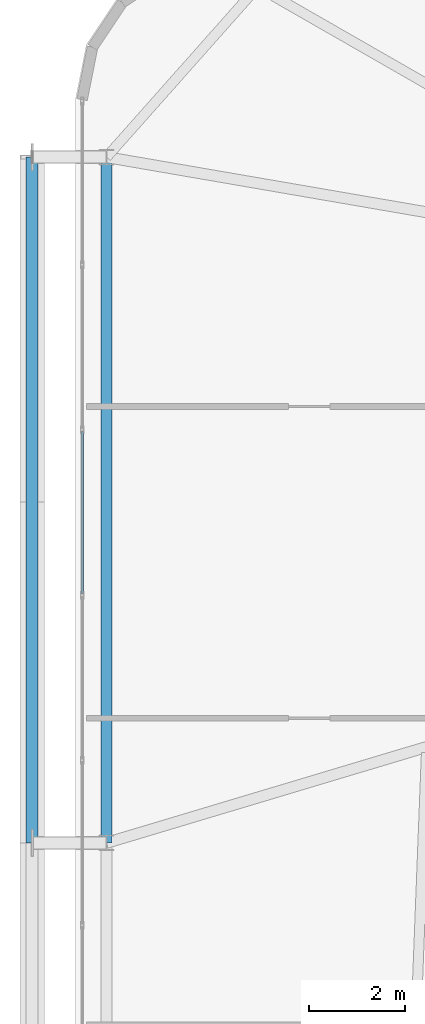
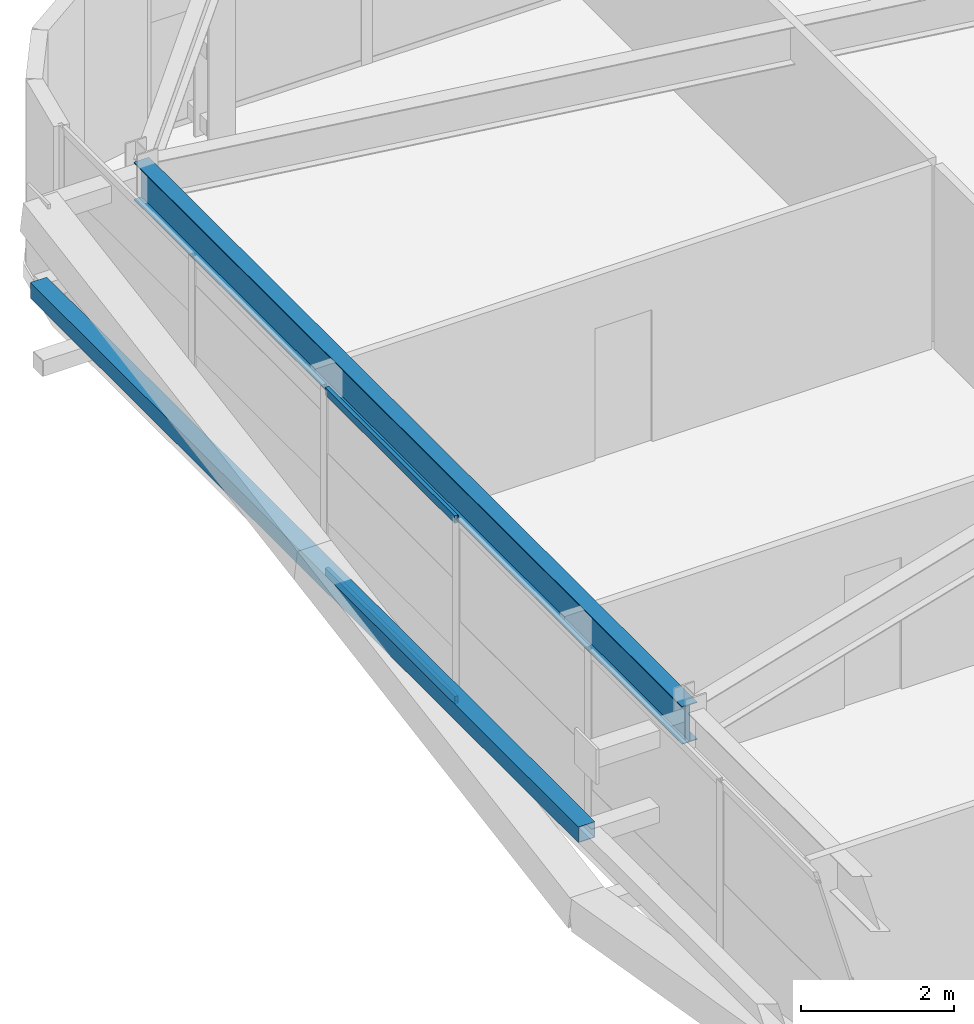
# One storey, part 17 of 59: 3 members, 1 beam, 1 element without a shape of its own.
"""IFC4 building model written with IfcOpenShell, lengths in metres."""

from ifc_helpers import new_model, si_unit, direction, frame, origin, origin_2d, place, context, subcontext, project, spatial, hollow_rectangle, i_section, extrude, source, transform, mapped, material, layer, layer_set, material_profile, profile_set, type_object, element, aggregate, save


model = new_model("IFC4")

# Units and contexts
model_context = context("Model", 3, precision=1e-05, world=origin(), true_north=direction((0.0, 1.0)))
body_context = subcontext(model_context, "Body", "Model", "MODEL_VIEW")
ifc_project = project(units=[si_unit("LENGTHUNIT", "METRE"), si_unit("AREAUNIT", "SQUARE_METRE"), si_unit("VOLUMEUNIT", "CUBIC_METRE"), si_unit("PLANEANGLEUNIT", "RADIAN"), si_unit("MASSUNIT", "GRAM", prefix="KILO")], contexts=[model_context])

# Site, building, storey
site_placement = place(None, origin())
site = spatial("IfcSite", under=ifc_project, at=site_placement, CompositionType="ELEMENT")
building_placement = place(site_placement, origin())
building = spatial("IfcBuilding", under=site, at=building_placement, Name="Taldren Reach Tower", CompositionType="ELEMENT")
storey_placement = place(building_placement, frame((0.0, 0.0, 45.14990234375)))
storey = spatial("IfcBuildingStorey", under=building, at=storey_placement, Name="L13", CompositionType="ELEMENT", Elevation=45.14990234375)

# Beam
ifc_material_1 = material(Name="Steel Gr 350 (350PLUS)", Category="steel")
ifc_material_profile_1 = material_profile(ifc_material_1, i_section(OverallWidth=0.22802734375, OverallDepth=0.60205078125, WebThickness=0.010498046875, FlangeThickness=0.014892578125, at=origin_2d()), Name="610UB101")
ifc_profile_set_1 = profile_set([ifc_material_profile_1], Name="Steel Gr 350 (350PLUS)")
beam_type = type_object("IfcBeamType", Name="BM-UB610B", PredefinedType="BEAM", material=ifc_profile_set_1)
shared_shape_1 = source(origin(), body_context, "Body", "SweptSolid", [
    extrude(i_section(OverallWidth=0.22802734375, OverallDepth=0.60205078125, WebThickness=0.010498046875, FlangeThickness=0.014892578125, at=origin_2d()), origin(), (0.0, 0.0, 1.0), 14.300048828125),
])
beam_placement = place(storey_placement, frame((5.64990234375, 34.300048828125, 2.629150390625), z_axis=(0.0, -1.0, 0.0), x_axis=(1.0, 0.0, 0.0)))
element("IfcBeam", 1, at=beam_placement, inside=storey, type_object=beam_type, Name="Perimeter gable girder B1 W3-W2 L13", PredefinedType="BEAM", context=body_context, shape_type="MappedRepresentation", body=[
    mapped(shared_shape_1, transform((0.0, 0.0, 0.0), scale=1.0)),
])

# Member
ifc_material_2 = material(Name="Steel Gr 350 (C350L0)", Category="steel")
ifc_material_profile_2 = material_profile(ifc_material_2, hollow_rectangle(XDim=0.25, YDim=0.25, WallThickness=0.010009765625, at=origin_2d()), Name="250x250x10.0SHS")
ifc_profile_set_2 = profile_set([ifc_material_profile_2], Name="Steel Gr 350 (C350L0)")
member_type_1 = type_object("IfcMemberType", Name="MB-POST250", PredefinedType="POST", material=ifc_profile_set_2)
shared_shape_2 = source(origin(), body_context, "Body", "SweptSolid", [
    extrude(hollow_rectangle(XDim=0.25, YDim=0.25, WallThickness=0.010009765625, at=origin_2d()), origin(), (0.0, 0.0, 1.0), 14.300048828125),
])
member_1_placement = place(storey_placement, frame((4.10009765625, 20.0, 1.43505859375), z_axis=(0.0, 1.0, 0.0), x_axis=(-1.0, 0.0, 0.0)))
element("IfcMember", 2, at=member_1_placement, inside=storey, type_object=member_type_1, Name="Exoskeleton mid-height ring chord B1-W2 L13", PredefinedType="POST", context=body_context, shape_type="MappedRepresentation", body=[
    mapped(shared_shape_2, transform((0.0, 0.0, 0.0), scale=1.0)),
])

# Curtain wall, members
ifc_material_3 = material(Name="Aluminium and Low-E Glass Unitised System", Category="aluminium")
ifc_layer = layer(ifc_material_3, 0.159912109375)
ifc_layer_set = layer_set([ifc_layer], Name="Aluminium and Low-E Glass Unitised System")
curtain_wall_type = type_object("IfcCurtainWallType", Name="CW-SYS-2", PredefinedType="NOTDEFINED", material=ifc_layer_set)
curtain_wall_placement = place(storey_placement, origin())
curtain_wall = element("IfcCurtainWall", 3, at=curtain_wall_placement, inside=storey, type_object=curtain_wall_type, Name="Unitised curtain wall CW-L13-W", PredefinedType="NOTDEFINED")
ifc_material_4 = material(Name="Anodised Aluminium 6063-T6", Category="aluminium")
ifc_material_profile_3 = material_profile(ifc_material_4, hollow_rectangle(XDim=0.054931640625, YDim=0.1201171875, WallThickness=0.0029296875, at=origin_2d()), Name="ALU-120x55x3RHS")
ifc_profile_set_3 = profile_set([ifc_material_profile_3], Name="Anodised Aluminium 6063-T6")
member_type_2 = type_object("IfcMemberType", Name="CW-TRN-135", PredefinedType="USERDEFINED", material=ifc_profile_set_3)
shared_shape_3 = source(origin(), body_context, "Body", "SweptSolid", [
    extrude(hollow_rectangle(XDim=0.054931640625, YDim=0.1201171875, WallThickness=0.0029296875, at=origin_2d()), origin(), (0.0, 0.0, 1.0), 3.37939453125),
])
member_2_placement = place(storey_placement, frame((5.139892578125, 28.57861328125, 0.027587890625), z_axis=(0.0, -1.0, 0.0), x_axis=(1.0, 0.0, 0.0)))
member_2 = element("IfcMember", 4, at=member_2_placement, type_object=member_type_2, Name="CW-2 transom 3.1", ObjectType="TRANSOM", PredefinedType="USERDEFINED", context=body_context, shape_type="MappedRepresentation", body=[
    mapped(shared_shape_3, transform((0.0, 0.0, 0.0), scale=1.0)),
])
member_3_placement = place(storey_placement, frame((5.139892578125, 28.57861328125, 2.902587890625), z_axis=(0.0, -1.0, 0.0), x_axis=(1.0, 0.0, 0.0)))
member_3 = element("IfcMember", 5, at=member_3_placement, type_object=member_type_2, Name="CW-2 transom 3.2", ObjectType="TRANSOM", PredefinedType="USERDEFINED", context=body_context, shape_type="MappedRepresentation", body=[
    mapped(shared_shape_3, transform((0.0, 0.0, 0.0), scale=1.0)),
])
aggregate(curtain_wall, [member_2, member_3])

save(model, "model.ifc")
